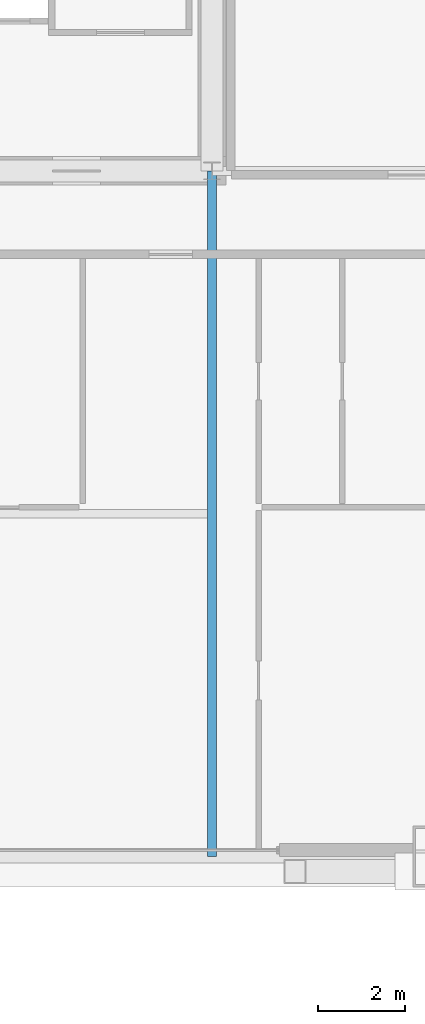
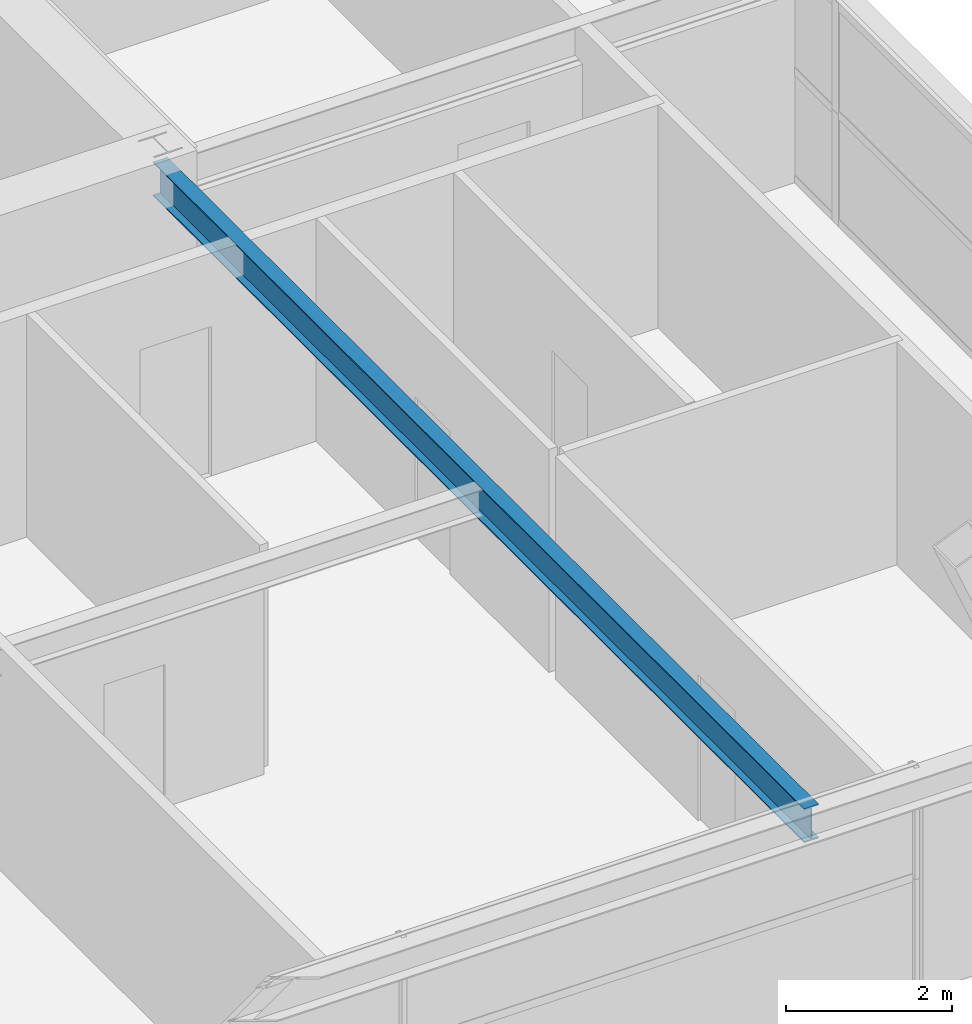
# One storey, part 16 of 42: 1 beam.
"""IFC4 building model written with IfcOpenShell, lengths in metres."""

import ifcopenshell
import ifcopenshell.guid

model = None  # the IFC model being written
_history = None  # IfcOwnerHistory: only IFC2X3 demands one
_inside = {}  # id of a spatial element -> (the spatial element, [elements in it])
_under = {}  # id of a project, library or spatial element -> (it, [spatial elements below it])
_declared = {}  # id of a project -> (the project, [libraries it declares])
_typed = {}  # id of a type object -> (the type object, [elements of that type])
_made_of = {}  # id of a material, layer set ... -> (it, [elements and type objects made of it])


def new_model(schema):
    """Start an empty IFC model of exactly this schema.

    Asked for "IFC4X3", IfcOpenShell would pick the latest addendum, in which some entities
    have other attributes; the version numbers below select the first issue.
    IFC2X3 requires an IfcOwnerHistory on every rooted entity: one is made here for all.
    """
    global model, _history
    if schema == "IFC4X3":
        model = ifcopenshell.file(schema_version=(4, 3, 0, 0))
    else:
        model = ifcopenshell.file(schema=schema)
    _inside.clear()
    _under.clear()
    _declared.clear()
    _typed.clear()
    _made_of.clear()
    _history = None
    if model.schema == "IFC2X3":
        org = make("IfcOrganization", Name="unknown")
        user = make(
            "IfcPersonAndOrganization",
            ThePerson=make("IfcPerson", FamilyName="unknown"),
            TheOrganization=org,
        )
        app = make(
            "IfcApplication",
            ApplicationDeveloper=org,
            Version="unknown",
            ApplicationFullName="unknown",
            ApplicationIdentifier="unknown",
        )
        _history = make(
            "IfcOwnerHistory",
            OwningUser=user,
            OwningApplication=app,
            ChangeAction="ADDED",
            CreationDate=0,
        )
    return model


def make(cls, **values):
    """One entity of the class cls with the attributes given. An attribute that is None is left unset."""
    return model.create_entity(
        cls, **{name: value for name, value in values.items() if value is not None}
    )


def rooted(cls, **values):
    """An entity with a GlobalId (a new one), such as an element, a storey or a relation."""
    return make(cls, GlobalId=ifcopenshell.guid.new(), OwnerHistory=_history, **values)


def si_unit(unit_type, name, prefix=None):
    """IfcSIUnit, for example si_unit("LENGTHUNIT", "METRE", prefix="MILLI")."""
    return make("IfcSIUnit", UnitType=unit_type, Prefix=prefix, Name=name)


def assignment(units):
    """IfcUnitAssignment: the units of a project."""
    return None if units is None else make("IfcUnitAssignment", Units=units)


def point(xyz):
    """IfcCartesianPoint."""
    return None if xyz is None else make("IfcCartesianPoint", Coordinates=xyz)


def direction(xyz):
    """IfcDirection."""
    return None if xyz is None else make("IfcDirection", DirectionRatios=xyz)


def frame(location, z_axis=None, x_axis=None):
    """IfcAxis2Placement3D, a coordinate frame: its origin and axes. An axis left out is left unset."""
    return make(
        "IfcAxis2Placement3D",
        Location=point(location),
        Axis=direction(z_axis),
        RefDirection=direction(x_axis),
    )


def frame_2d(location, x_axis=None):
    """IfcAxis2Placement2D, a coordinate frame in the plane: its origin and x axis."""
    return make(
        "IfcAxis2Placement2D", Location=point(location), RefDirection=direction(x_axis)
    )


def origin():
    """The frame at (0, 0, 0) with its axes left unset."""
    return frame((0.0, 0.0, 0.0))


def origin_2d():
    """The frame at (0, 0) in the plane with its x axis left unset."""
    return frame_2d((0.0, 0.0))


def place(relative_to, where):
    """IfcLocalPlacement: puts the frame where relative to a parent placement (None: the world)."""
    return make(
        "IfcLocalPlacement", PlacementRelTo=relative_to, RelativePlacement=where
    )


def context(
    kind, dimensions, precision=None, world=None, true_north=None, identifier=None
):
    """IfcGeometricRepresentationContext, for example the 3D "Model" context."""
    return make(
        "IfcGeometricRepresentationContext",
        ContextIdentifier=identifier,
        ContextType=kind,
        CoordinateSpaceDimension=dimensions,
        Precision=precision,
        WorldCoordinateSystem=world,
        TrueNorth=true_north,
    )


def subcontext(parent, identifier, kind, view, scale=None):
    """IfcGeometricRepresentationSubContext, for example "Body" below "Model"."""
    return make(
        "IfcGeometricRepresentationSubContext",
        ContextIdentifier=identifier,
        ContextType=kind,
        ParentContext=parent,
        TargetScale=scale,
        TargetView=view,
    )


def project(units=None, contexts=None):
    """IfcProject with its units and contexts."""
    return rooted(
        "IfcProject",
        Name="project",
        RepresentationContexts=contexts,
        UnitsInContext=assignment(units),
    )


def spatial(cls, under=None, at=None, **own):
    """A site, building, storey or space (cls), placed at a placement, below another one or the project."""
    s = rooted(cls, ObjectPlacement=at, **own)
    if under is not None:
        _under.setdefault(under.id(), (under, []))[1].append(s)
    return s


def profile(cls, at=None, kind="AREA", **sizes):
    """A parametric profile (cls). Its sizes go by their IFC names, for example OverallWidth=200.0."""
    return make(cls, ProfileType=kind, Position=at, **sizes)


def i_section(**sizes):
    """IfcIShapeProfileDef."""
    return profile("IfcIShapeProfileDef", **sizes)


def extrude(swept, where, along, depth):
    """IfcExtrudedAreaSolid: the profile swept, set in the frame where, extruded along a direction by depth."""
    return make(
        "IfcExtrudedAreaSolid",
        SweptArea=swept,
        Position=where,
        ExtrudedDirection=direction(along),
        Depth=depth,
    )


def shape(context_of_items, identifier, shape_type, items):
    """IfcShapeRepresentation: the items that make up one representation, for example the "Body"."""
    return make(
        "IfcShapeRepresentation",
        ContextOfItems=context_of_items,
        RepresentationIdentifier=identifier,
        RepresentationType=shape_type,
        Items=items,
    )


def source(mapping_origin, context_of_items, identifier, shape_type, items):
    """IfcRepresentationMap: a shape defined once, which mapped items show again and again."""
    return make(
        "IfcRepresentationMap",
        MappingOrigin=mapping_origin,
        MappedRepresentation=shape(context_of_items, identifier, shape_type, items),
    )


def transform(
    local_origin,
    x_axis=None,
    y_axis=None,
    z_axis=None,
    scale=None,
    scale2=None,
    scale3=None,
    uniform=True,
):
    """IfcCartesianTransformationOperator3D, or its non-uniform kind. x_axis, y_axis, z_axis: its Axis1, 2, 3."""
    if uniform:
        return make(
            "IfcCartesianTransformationOperator3D",
            Axis1=direction(x_axis),
            Axis2=direction(y_axis),
            LocalOrigin=point(local_origin),
            Scale=scale,
            Axis3=direction(z_axis),
        )
    return make(
        "IfcCartesianTransformationOperator3DnonUniform",
        Axis1=direction(x_axis),
        Axis2=direction(y_axis),
        LocalOrigin=point(local_origin),
        Scale=scale,
        Axis3=direction(z_axis),
        Scale2=scale2,
        Scale3=scale3,
    )


def mapped(mapping_source, mapping_target):
    """IfcMappedItem: shows the shape of a source again, moved by a transform."""
    return make(
        "IfcMappedItem", MappingSource=mapping_source, MappingTarget=mapping_target
    )


def material(Name=None, Category=None):
    """IfcMaterial."""
    return make("IfcMaterial", Name=Name, Category=Category)


def material_profile(
    of_material, cross_section, Name=None, Category=None, Priority=None
):
    """IfcMaterialProfile: a cross section and its material."""
    return make(
        "IfcMaterialProfile",
        Name=Name,
        Material=of_material,
        Profile=cross_section,
        Priority=Priority,
        Category=Category,
    )


def profile_set(profiles, Name=None, composite=None):
    """IfcMaterialProfileSet."""
    return make(
        "IfcMaterialProfileSet",
        Name=Name,
        MaterialProfiles=profiles,
        CompositeProfile=composite,
    )


def made_of(thing, what):
    """Note that an element or type object is made of a material, layer set ...; save() writes the relation."""
    if what is not None:
        _made_of.setdefault(what.id(), (what, []))[1].append(thing)
    return thing


def type_object(cls, material=None, **own):
    """A type object (cls), such as IfcWallType, which elements share."""
    return made_of(rooted(cls, **own), material)


def element(
    cls,
    number,
    at=None,
    inside=None,
    cuts=None,
    type_object=None,
    material=None,
    context=None,
    identifier="Body",
    shape_type=None,
    held_by="IfcProductDefinitionShape",
    body=None,
    shapes=None,
    **own,
):
    """One element of the class cls, such as IfcWall. Its Tag is "e" and its number.

    at: its placement. inside: the storey or other place that contains it. cuts: it is an
    opening in that element (IfcRelVoidsElement). A single representation is given by context,
    identifier, shape_type and body (its items); several are given by shapes. held_by: the class
    of the entity that holds the representations. save() writes the other relations.
    """
    e = rooted(cls, Tag="e%d" % number, ObjectPlacement=at, **own)
    if body is not None:
        shapes = [shape(context, identifier, shape_type, body)]
    if shapes is not None:
        e.Representation = make(held_by, Representations=shapes)
    if inside is not None:
        _inside.setdefault(inside.id(), (inside, []))[1].append(e)
    if cuts is not None:
        rooted(
            "IfcRelVoidsElement", RelatingBuildingElement=cuts, RelatedOpeningElement=e
        )
    if type_object is not None:
        _typed.setdefault(type_object.id(), (type_object, []))[1].append(e)
    return made_of(e, material)


def aggregate(whole, parts):
    """IfcRelAggregates: a whole, such as a stair, and the parts it consists of."""
    return rooted("IfcRelAggregates", RelatingObject=whole, RelatedObjects=parts)


def save(model, path):
    """Write the relations noted so far, then the file.

    IfcRelAggregates (storeys below a building ...), IfcRelContainedInSpatialStructure (elements
    in a storey), IfcRelDefinesByType, IfcRelAssociatesMaterial and IfcRelDeclares: one each for
    every whole, place, type object, material and project.
    """
    for whole, parts in _under.values():
        aggregate(whole, parts)
    for where, things in _inside.values():
        rooted(
            "IfcRelContainedInSpatialStructure",
            RelatedElements=things,
            RelatingStructure=where,
        )
    for kind, things in _typed.values():
        rooted("IfcRelDefinesByType", RelatedObjects=things, RelatingType=kind)
    for what, things in _made_of.values():
        rooted("IfcRelAssociatesMaterial", RelatedObjects=things, RelatingMaterial=what)
    for by, libraries in _declared.values():
        rooted("IfcRelDeclares", RelatingContext=by, RelatedDefinitions=libraries)
    model.write(path)


model = new_model("IFC4")

# Units and contexts
model_context = context("Model", 3, precision=1e-05, world=origin(), true_north=direction((0.0, 1.0)))
body_context = subcontext(model_context, "Body", "Model", "MODEL_VIEW")
ifc_project = project(units=[si_unit("LENGTHUNIT", "METRE"), si_unit("AREAUNIT", "SQUARE_METRE"), si_unit("VOLUMEUNIT", "CUBIC_METRE"), si_unit("PLANEANGLEUNIT", "RADIAN"), si_unit("MASSUNIT", "GRAM", prefix="KILO"), si_unit("THERMODYNAMICTEMPERATUREUNIT", "KELVIN"), si_unit("POWERUNIT", "WATT")], contexts=[model_context])

# Site, building, storey
site_placement = place(None, origin())
site = spatial("IfcSite", under=ifc_project, at=site_placement, CompositionType="ELEMENT")
building_placement = place(site_placement, origin())
building = spatial("IfcBuilding", under=site, at=building_placement, Name="Yuzanri Waterfront Tower", CompositionType="ELEMENT")
storey_placement = place(building_placement, frame((0.0, 0.0, 205.5)))
storey = spatial("IfcBuildingStorey", under=building, at=storey_placement, Name="L54", CompositionType="ELEMENT", Elevation=205.5)

# Beam
ifc_material = material(Name="Steel Q355B", Category="steel")
ifc_material_profile = material_profile(ifc_material, i_section(OverallWidth=0.199951171875, OverallDepth=0.5, WebThickness=0.010009765625, FlangeThickness=0.01611328125, at=origin_2d()), Name="HN 500x200x10x16")
ifc_profile_set = profile_set([ifc_material_profile], Name="Steel Q355B")
beam_type = type_object("IfcBeamType", Name="Secondary Floor Beam Q355B HN 500x200", PredefinedType="BEAM", material=ifc_profile_set)
shared_shape = source(origin(), body_context, "Body", "SweptSolid", [
    extrude(i_section(OverallWidth=0.199951171875, OverallDepth=0.5, WebThickness=0.010009765625, FlangeThickness=0.01611328125, at=origin_2d()), origin(), (0.0, 0.0, 1.0), 15.699951171875),
])
beam_placement = place(storey_placement, frame((50.199951171875, 19.39990234375, 3.030029296875), z_axis=(0.0, -1.0, 0.0), x_axis=(1.0, 0.0, 0.0)))
element("IfcBeam", 1, at=beam_placement, inside=storey, type_object=beam_type, Name="L54 South-East Core Line Beam", PredefinedType="BEAM", context=body_context, shape_type="MappedRepresentation", body=[
    mapped(shared_shape, transform((0.0, 0.0, 0.0), scale=1.0)),
])

save(model, "model.ifc")
